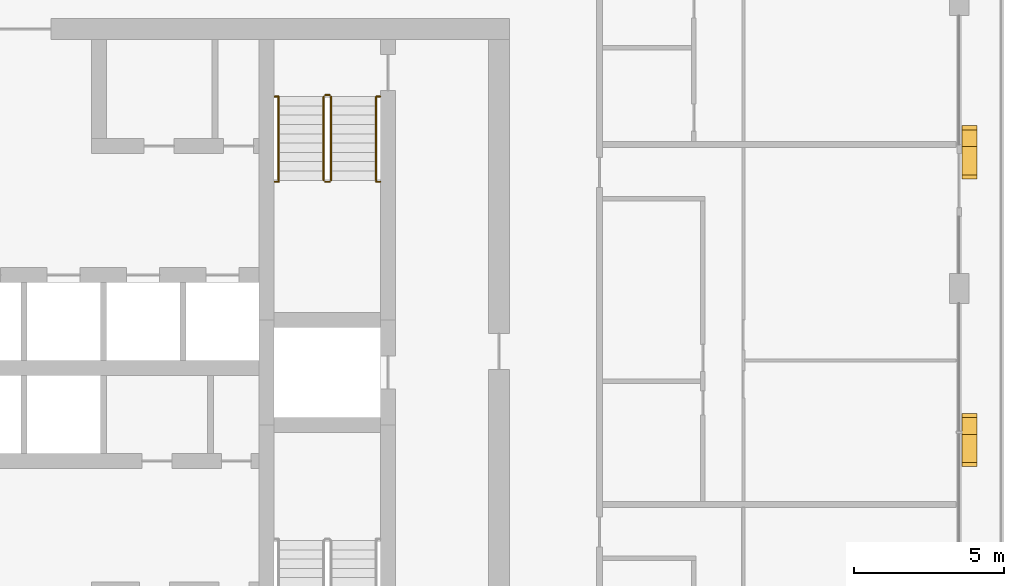
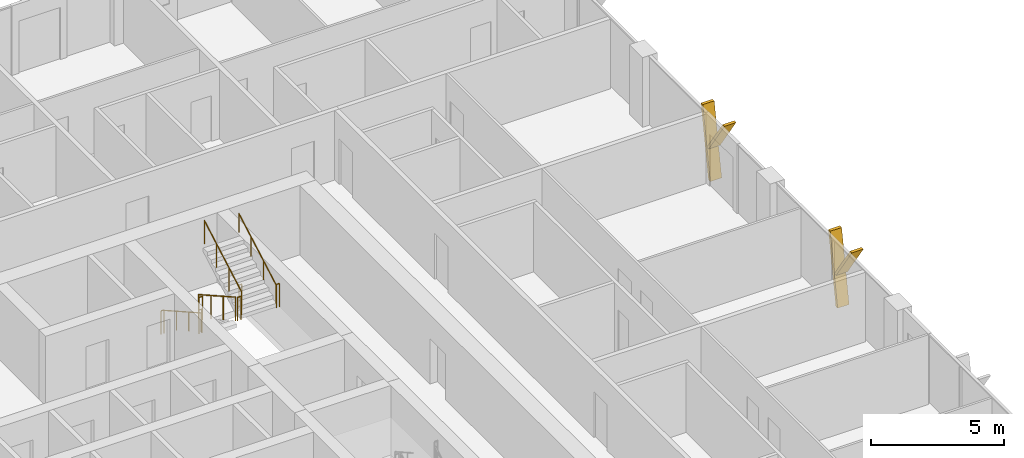
# One storey, part 22 of 23: 10 railings, 4 shading devices.
"""IFC4 building model written with IfcOpenShell, lengths in metres."""

from ifc_helpers import new_model, si_unit, direction, frame, origin, origin_2d, place, context, subcontext, project, spatial, polyline, circle, outline, extrude, material, type_object, element, save


model = new_model("IFC4")

# Units and contexts
model_context = context("Model", 3, precision=1e-05, world=origin(), true_north=direction((0.0, 1.0)))
body_context = subcontext(model_context, "Body", "Model", "MODEL_VIEW")
ifc_project = project(units=[si_unit("LENGTHUNIT", "METRE"), si_unit("AREAUNIT", "SQUARE_METRE"), si_unit("VOLUMEUNIT", "CUBIC_METRE"), si_unit("PLANEANGLEUNIT", "RADIAN"), si_unit("MASSUNIT", "GRAM", prefix="KILO")], contexts=[model_context])

# Site, building, storey
site_placement = place(None, origin())
site = spatial("IfcSite", under=ifc_project, at=site_placement, CompositionType="ELEMENT")
building_placement = place(site_placement, origin())
building = spatial("IfcBuilding", under=site, at=building_placement, Name="Madar Terraces", CompositionType="ELEMENT")
storey_placement = place(building_placement, frame((0.0, 0.0, 215.800048828125)))
storey = spatial("IfcBuildingStorey", under=building, at=storey_placement, Name="L56", CompositionType="ELEMENT", Elevation=215.800048828125)

# Shading devices
ifc_material_1 = material(Name="Aluminium, black anodised", Category="aluminium")
shading_device_type = type_object("IfcShadingDeviceType", Name="Facade fin blade 140 x 500", PredefinedType="USERDEFINED", material=ifc_material_1)
shading_device_1_placement = place(storey_placement, frame((62.75, 23.929931640625, 0.0), z_axis=(0.0, 0.0, 1.0), x_axis=(0.0, 1.0, 0.0)))
element("IfcShadingDevice", 1, at=shading_device_1_placement, inside=storey, type_object=shading_device_type, Name="FIN L56 E2", ObjectType="FIN", PredefinedType="USERDEFINED", context=body_context, shape_type="SweptSolid", body=[
    extrude(outline(polyline([(0.0, 0.0), (0.14013671875, 0.0), (0.704345703125, 3.199951171875), (0.564208984375, 3.199951171875), (0.0, 0.0)])), frame((0.0, 0.25, 0.0), z_axis=(0.0, -1.0, 0.0), x_axis=(1.0, 0.0, 0.0)), (0.0, 0.0, 1.0), 0.5),
])
shading_device_2_placement = place(storey_placement, frame((62.75, 24.0439453125, 1.43994140625), z_axis=(0.0, 0.0, 1.0), x_axis=(0.0, 1.0, 0.0)))
element("IfcShadingDevice", 2, at=shading_device_2_placement, inside=storey, type_object=shading_device_type, Name="FIN L56 E2 branch", ObjectType="FIN", PredefinedType="USERDEFINED", context=body_context, shape_type="SweptSolid", body=[
    extrude(outline(polyline([(0.0, 0.0), (0.139892578125, 0.0), (-1.049560546875, 1.760009765625), (-1.189697265625, 1.760009765625), (0.0, 0.0)])), frame((0.0, 0.25, 0.0), z_axis=(0.0, -1.0, 0.0), x_axis=(1.0, 0.0, 0.0)), (0.0, 0.0, 1.0), 0.5),
])
shading_device_3_placement = place(storey_placement, frame((62.75, 33.530029296875, 0.0), z_axis=(0.0, 0.0, 1.0), x_axis=(0.0, 1.0, 0.0)))
element("IfcShadingDevice", 3, at=shading_device_3_placement, inside=storey, type_object=shading_device_type, Name="FIN L56 E3", ObjectType="FIN", PredefinedType="USERDEFINED", context=body_context, shape_type="SweptSolid", body=[
    extrude(outline(polyline([(0.0, 0.0), (0.139892578125, 0.0), (0.704345703125, 3.199951171875), (0.564208984375, 3.199951171875), (0.0, 0.0)])), frame((0.0, 0.25, 0.0), z_axis=(0.0, -1.0, 0.0), x_axis=(1.0, 0.0, 0.0)), (0.0, 0.0, 1.0), 0.5),
])
shading_device_4_placement = place(storey_placement, frame((62.75, 33.643798828125, 1.43994140625), z_axis=(0.0, 0.0, 1.0), x_axis=(0.0, 1.0, 0.0)))
element("IfcShadingDevice", 4, at=shading_device_4_placement, inside=storey, type_object=shading_device_type, Name="FIN L56 E3 branch", ObjectType="FIN", PredefinedType="USERDEFINED", context=body_context, shape_type="SweptSolid", body=[
    extrude(outline(polyline([(0.0, 0.0), (0.14013671875, 0.0), (-1.049560546875, 1.760009765625), (-1.189697265625, 1.760009765625), (0.0, 0.0)])), frame((0.0, 0.25, 0.0), z_axis=(0.0, -1.0, 0.0), x_axis=(1.0, 0.0, 0.0)), (0.0, 0.0, 1.0), 0.5),
])

# Railings
ifc_material_2 = material(Name="Stainless steel railing", Category="steel")
railing_type_1 = type_object("IfcRailingType", Name="Stair guard 1100", PredefinedType="GUARDRAIL", material=ifc_material_2)
railing_1_placement = place(storey_placement, frame((41.199951171875, 35.199951171875, 0.175048828125)))
element("IfcRailing", 5, at=railing_1_placement, inside=storey, type_object=railing_type_1, Name="L56 ST2 stair guard 1", PredefinedType="GUARDRAIL", context=body_context, shape_type="SweptSolid", body=[
    extrude(circle(Radius=0.02392578125, at=origin_2d()), frame((0.0, 0.0, 1.076171875), z_axis=(0.0, -0.870833779661, 0.491577591232), x_axis=(1.0, 0.0, 0.0)), (0.0, 0.0, 1.0), 3.203857421875),
    extrude(circle(Radius=0.02099609375, at=origin_2d()), origin(), (0.0, 0.0, 1.0), 1.052001953125),
    extrude(circle(Radius=0.02099609375, at=origin_2d()), frame((0.0, -0.929931640625, 0.52490234375)), (0.0, 0.0, 1.0), 1.052001953125),
    extrude(circle(Radius=0.02099609375, at=origin_2d()), frame((0.0, -1.860107421875, 1.050048828125)), (0.0, 0.0, 1.0), 1.052001953125),
    extrude(circle(Radius=0.02099609375, at=origin_2d()), frame((0.0, -2.7900390625, 1.574951171875)), (0.0, 0.0, 1.0), 1.052001953125),
])
railing_2_placement = place(storey_placement, frame((41.25, 32.360107421875, 1.75)))
element("IfcRailing", 6, at=railing_2_placement, inside=storey, type_object=railing_type_1, Name="L56 ST2 stair guard 2", PredefinedType="GUARDRAIL", context=body_context, shape_type="SweptSolid", body=[
    extrude(circle(Radius=0.02392578125, at=origin_2d()), frame((0.0, 0.0, 1.076171875), z_axis=(1.0, 0.0, 0.0), x_axis=(0.0, 1.0, 0.0)), (0.0, 0.0, 1.0), 0.14990234375),
    extrude(circle(Radius=0.02099609375, at=origin_2d()), origin(), (0.0, 0.0, 1.0), 1.052001953125),
    extrude(circle(Radius=0.02099609375, at=origin_2d()), frame((0.14990234375, 0.0, 0.0)), (0.0, 0.0, 1.0), 1.052001953125),
])
railing_3_placement = place(storey_placement, frame((41.449951171875, 32.409912109375, 1.925048828125)))
element("IfcRailing", 7, at=railing_3_placement, inside=storey, type_object=railing_type_1, Name="L56 ST2 stair guard 3", PredefinedType="GUARDRAIL", context=body_context, shape_type="SweptSolid", body=[
    extrude(circle(Radius=0.02392578125, at=origin_2d()), frame((0.0, 0.0, 1.076171875), z_axis=(0.0, 0.870833779661, 0.491577591232), x_axis=(-1.0, 0.0, 0.0)), (0.0, 0.0, 1.0), 3.203857421875),
    extrude(circle(Radius=0.02099609375, at=origin_2d()), origin(), (0.0, 0.0, 1.0), 1.052001953125),
    extrude(circle(Radius=0.02099609375, at=origin_2d()), frame((0.0, 0.929931640625, 0.52490234375)), (0.0, 0.0, 1.0), 1.052001953125),
    extrude(circle(Radius=0.02099609375, at=origin_2d()), frame((0.0, 1.860107421875, 1.050048828125)), (0.0, 0.0, 1.0), 1.052001953125),
    extrude(circle(Radius=0.02099609375, at=origin_2d()), frame((0.0, 2.7900390625, 1.574951171875)), (0.0, 0.0, 1.0), 1.052001953125),
])
railing_4_placement = place(storey_placement, frame((41.25, 35.25, 0.0)))
element("IfcRailing", 8, at=railing_4_placement, inside=storey, type_object=railing_type_1, Name="L56 ST2 stair guard 4", PredefinedType="GUARDRAIL", context=body_context, shape_type="SweptSolid", body=[
    extrude(circle(Radius=0.02392578125, at=origin_2d()), frame((0.0, 0.0, 1.076171875), z_axis=(1.0, 0.0, 0.0), x_axis=(0.0, 1.0, 0.0)), (0.0, 0.0, 1.0), 0.14990234375),
    extrude(circle(Radius=0.02099609375, at=origin_2d()), origin(), (0.0, 0.0, 1.0), 1.052001953125),
    extrude(circle(Radius=0.02099609375, at=origin_2d()), frame((0.14990234375, 0.0, 0.0)), (0.0, 0.0, 1.0), 1.052001953125),
])
railing_5_placement = place(storey_placement, frame((39.570068359375, 32.360107421875, 1.75)))
element("IfcRailing", 9, at=railing_5_placement, inside=storey, type_object=railing_type_1, Name="L56 stair guard seat 1", PredefinedType="GUARDRAIL", context=body_context, shape_type="SweptSolid", body=[
    extrude(circle(Radius=0.02392578125, at=origin_2d()), frame((0.0, 0.0, 1.076171875), z_axis=(1.0, 0.0, 0.0), x_axis=(0.0, 1.0, 0.0)), (0.0, 0.0, 1.0), 0.1298828125),
    extrude(circle(Radius=0.02099609375, at=origin_2d()), origin(), (0.0, 0.0, 1.0), 1.052001953125),
    extrude(circle(Radius=0.02099609375, at=origin_2d()), frame((0.1298828125, 0.0, 0.0)), (0.0, 0.0, 1.0), 1.052001953125),
])
railing_6_placement = place(storey_placement, frame((42.949951171875, 32.360107421875, 1.75)))
element("IfcRailing", 10, at=railing_6_placement, inside=storey, type_object=railing_type_1, Name="L56 stair guard seat 2", PredefinedType="GUARDRAIL", context=body_context, shape_type="SweptSolid", body=[
    extrude(circle(Radius=0.02392578125, at=origin_2d()), frame((0.0, 0.0, 1.076171875), z_axis=(1.0, 0.0, 0.0), x_axis=(0.0, 1.0, 0.0)), (0.0, 0.0, 1.0), 0.130126953125),
    extrude(circle(Radius=0.02099609375, at=origin_2d()), origin(), (0.0, 0.0, 1.0), 1.052001953125),
    extrude(circle(Radius=0.02099609375, at=origin_2d()), frame((0.130126953125, 0.0, 0.0)), (0.0, 0.0, 1.0), 1.052001953125),
])
railing_7_placement = place(storey_placement, frame((39.570068359375, 35.199951171875, 0.0)))
element("IfcRailing", 11, at=railing_7_placement, inside=storey, type_object=railing_type_1, Name="L56 stair guard floor 1", PredefinedType="GUARDRAIL", context=body_context, shape_type="SweptSolid", body=[
    extrude(circle(Radius=0.02392578125, at=origin_2d()), frame((0.0, 0.0, 1.076171875), z_axis=(1.0, 0.0, 0.0), x_axis=(0.0, 1.0, 0.0)), (0.0, 0.0, 1.0), 0.1298828125),
    extrude(circle(Radius=0.02099609375, at=origin_2d()), origin(), (0.0, 0.0, 1.0), 1.052001953125),
    extrude(circle(Radius=0.02099609375, at=origin_2d()), frame((0.1298828125, 0.0, 0.0)), (0.0, 0.0, 1.0), 1.052001953125),
])
railing_8_placement = place(storey_placement, frame((42.949951171875, 35.199951171875, 0.0)))
element("IfcRailing", 12, at=railing_8_placement, inside=storey, type_object=railing_type_1, Name="L56 stair guard floor 2", PredefinedType="GUARDRAIL", context=body_context, shape_type="SweptSolid", body=[
    extrude(circle(Radius=0.02392578125, at=origin_2d()), frame((0.0, 0.0, 1.076171875), z_axis=(1.0, 0.0, 0.0), x_axis=(0.0, 1.0, 0.0)), (0.0, 0.0, 1.0), 0.130126953125),
    extrude(circle(Radius=0.02099609375, at=origin_2d()), origin(), (0.0, 0.0, 1.0), 1.052001953125),
    extrude(circle(Radius=0.02099609375, at=origin_2d()), frame((0.130126953125, 0.0, 0.0)), (0.0, 0.0, 1.0), 1.052001953125),
])
ifc_material_3 = material(Name="Stainless steel railing", Category="steel")
railing_type_2 = type_object("IfcRailingType", Name="Stair handrail 900", PredefinedType="HANDRAIL", material=ifc_material_3)
railing_9_placement = place(storey_placement, frame((39.699951171875, 35.199951171875, 0.175048828125)))
element("IfcRailing", 13, at=railing_9_placement, inside=storey, type_object=railing_type_2, Name="L56 ST2 stair handrail 1", PredefinedType="HANDRAIL", context=body_context, shape_type="SweptSolid", body=[
    extrude(circle(Radius=0.02392578125, at=origin_2d()), frame((0.0, 0.0, 0.8759765625), z_axis=(0.0, -0.870833779661, 0.491577591232), x_axis=(1.0, 0.0, 0.0)), (0.0, 0.0, 1.0), 3.203857421875),
    extrude(circle(Radius=0.02099609375, at=origin_2d()), origin(), (0.0, 0.0, 1.0), 0.851806640625),
    extrude(circle(Radius=0.02099609375, at=origin_2d()), frame((0.0, -0.929931640625, 0.52490234375)), (0.0, 0.0, 1.0), 0.851806640625),
    extrude(circle(Radius=0.02099609375, at=origin_2d()), frame((0.0, -1.860107421875, 1.050048828125)), (0.0, 0.0, 1.0), 0.851806640625),
    extrude(circle(Radius=0.02099609375, at=origin_2d()), frame((0.0, -2.7900390625, 1.574951171875)), (0.0, 0.0, 1.0), 0.851806640625),
])
railing_10_placement = place(storey_placement, frame((42.949951171875, 32.409912109375, 1.925048828125)))
element("IfcRailing", 14, at=railing_10_placement, inside=storey, type_object=railing_type_2, Name="L56 ST2 stair handrail 2", PredefinedType="HANDRAIL", context=body_context, shape_type="SweptSolid", body=[
    extrude(circle(Radius=0.02392578125, at=origin_2d()), frame((0.0, 0.0, 0.8759765625), z_axis=(0.0, 0.870833779661, 0.491577591232), x_axis=(-1.0, 0.0, 0.0)), (0.0, 0.0, 1.0), 3.203857421875),
    extrude(circle(Radius=0.02099609375, at=origin_2d()), origin(), (0.0, 0.0, 1.0), 0.851806640625),
    extrude(circle(Radius=0.02099609375, at=origin_2d()), frame((0.0, 0.929931640625, 0.52490234375)), (0.0, 0.0, 1.0), 0.851806640625),
    extrude(circle(Radius=0.02099609375, at=origin_2d()), frame((0.0, 1.860107421875, 1.050048828125)), (0.0, 0.0, 1.0), 0.851806640625),
    extrude(circle(Radius=0.02099609375, at=origin_2d()), frame((0.0, 2.7900390625, 1.574951171875)), (0.0, 0.0, 1.0), 0.851806640625),
])

save(model, "model.ifc")
